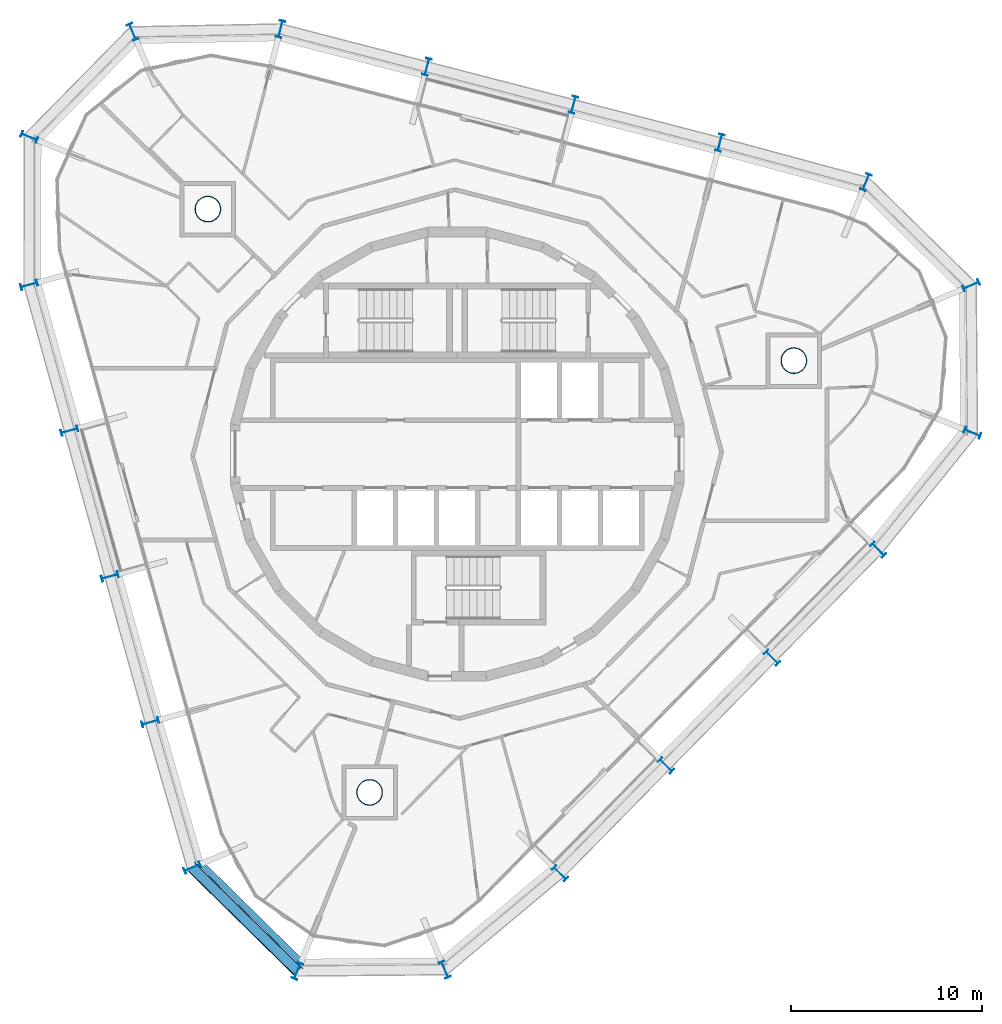
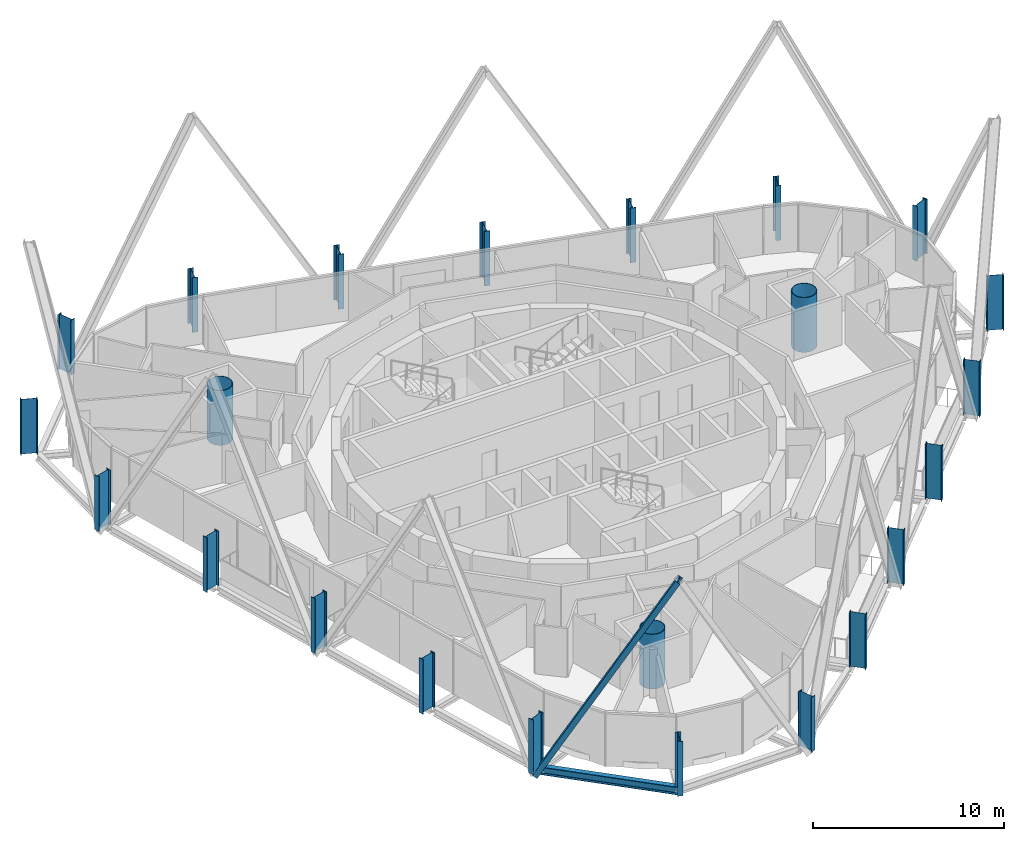
# One storey, part 1 of 15: 23 columns, 1 beam, 1 member.
"""IFC4 building model written with IfcOpenShell, lengths in metres."""

from ifc_helpers import new_model, si_unit, direction, frame, origin, origin_2d, place, context, subcontext, project, spatial, hollow_circle, i_section, extrude, material, material_profile, profile_set, type_object, element, save


model = new_model("IFC4")

# Units and contexts
model_context = context("Model", 3, precision=1e-05, world=origin(), true_north=direction((0.0, 1.0)))
body_context = subcontext(model_context, "Body", "Model", "MODEL_VIEW")
ifc_project = project(units=[si_unit("LENGTHUNIT", "METRE"), si_unit("AREAUNIT", "SQUARE_METRE"), si_unit("VOLUMEUNIT", "CUBIC_METRE"), si_unit("PLANEANGLEUNIT", "RADIAN"), si_unit("MASSUNIT", "GRAM", prefix="KILO")], contexts=[model_context])

# Site, building, storey
site_placement = place(None, origin())
site = spatial("IfcSite", under=ifc_project, at=site_placement, CompositionType="ELEMENT")
building_placement = place(site_placement, origin())
building = spatial("IfcBuilding", under=site, at=building_placement, Name="Spindle Arch Residences", CompositionType="ELEMENT")
storey_placement = place(building_placement, frame((0.0, 0.0, 312.199951171875)))
storey = spatial("IfcBuildingStorey", under=building, at=storey_placement, Name="L80", CompositionType="ELEMENT", Elevation=312.199951171875)

# Columns
ifc_material_1 = material(Name="Steel S460ML, intumescent coating R 240", Category="steel")
ifc_material_profile_1 = material_profile(ifc_material_1, i_section(OverallWidth=0.300048828125, OverallDepth=0.89990234375, WebThickness=0.0185546875, FlangeThickness=0.034912109375, FilletRadius=0.030029296875, at=origin_2d()), Name="HEB 900")
ifc_profile_set_1 = profile_set([ifc_material_profile_1], Name="Steel S460ML, intumescent coating R 240")
column_type_1 = type_object("IfcColumnType", Name="Exoskeleton post HEB 900", PredefinedType="COLUMN", material=ifc_profile_set_1)
for number, where, z_axis, x_axis, name in (
    (1, (16.521484375, -10.6728515625, -0.3798828125), (0.0, 0.0, 1.0), (-0.70090935439, -0.713250360623, 0.0), "Exoskeleton post 1"),
    (2, (22.083251953125, -5.01318359375, -0.3798828125), (0.0, 0.0, 1.0), (-0.70090935439, -0.713250360623, 0.0), "Exoskeleton post 2"),
    (3, (27.0263671875, 1.11279296875, -0.3798828125), (0.0, 0.0, 1.0), (-0.374802818249, -0.927104550433, 0.0), "Exoskeleton post 3"),
    (4, (26.959716796875, 8.84521484375, -0.3798828125), (0.0, 0.0, 1.0), (0.390770126794, -0.920488298679, 0.0), "Exoskeleton post 4"),
    (5, (21.443359375, 14.263916015625, -0.3798828125), (0.0, 0.0, 1.0), (0.927294785217, -0.374331913293, 0.0), "Exoskeleton post 5"),
    (6, (13.7861328125, 16.3330078125, -0.3798828125), (0.0, 0.0, 1.0), (0.968147663906, -0.250379913079, 0.0), "Exoskeleton post 6"),
    (7, (6.10400390625, 18.31982421875, -0.3798828125), (0.0, 0.0, 1.0), (0.968147663906, -0.250379913079, 0.0), "Exoskeleton post 7"),
    (8, (-1.57861328125, 20.306640625, -0.3798828125), (0.0, 0.0, 1.0), (0.968147663906, -0.250379913079, 0.0), "Exoskeleton post 8"),
    (9, (-9.2607421875, 22.29345703125, -0.3798828125), (0.0, 0.0, 1.0), (0.968147663906, -0.250379913079, 0.0), "Exoskeleton post 9"),
    (10, (-17.0185546875, 22.144775390625, -0.3798828125), (0.0, 0.0, 1.0), (0.920554476886, 0.39061420236, 0.0), "Exoskeleton post 10"),
    (11, (-22.4384765625, 16.62939453125, -0.3798828125), (0.0, 0.0, 1.0), (0.374489123858, 0.927231306693, 0.0), "Exoskeleton post 11"),
    (12, (-22.45166015625, 8.870361328125, -0.3798828125), (0.0, 0.0, 1.0), (-0.267238143562, 0.963630517691, 0.0), "Exoskeleton post 12"),
    (13, (-20.3310546875, 1.223876953125, -0.3798828125), (0.0, 0.0, 1.0), (-0.267238143562, 0.963630517691, 0.0), "Exoskeleton post 13"),
    (14, (-18.210693359375, -6.422607421875, -0.3798828125), (0.0, 0.0, 1.0), (-0.267238143562, 0.963630517691, 0.0), "Exoskeleton post 14"),
    (15, (-16.090087890625, -14.069091796875, -0.3798828125), (0.0, 0.0, 1.0), (-0.267238143562, 0.963630517691, 0.0), "Exoskeleton post 15"),
    (16, (-13.887451171875, -21.68896484375, -0.3798828125), (0.0, 0.0, 1.0), (-0.390457907184, 0.920620781167, 0.0), "Exoskeleton post 16"),
    (17, (-8.373291015625, -27.10986328125, -0.3798828125), (0.0, 0.0, 1.0), (-0.9271679418, 0.374645976487, 0.0), "Exoskeleton post 17"),
    (18, (-0.640869140625, -27.041748046875, -0.3798828125), (0.0, 0.0, 1.0), (-0.920422094083, -0.390926039967, 0.0), "Exoskeleton post 18"),
    (19, (5.397705078125, -21.9921875, -0.3798828125), (0.0, 0.0, 1.0), (-0.70090935439, -0.713250360623, 0.0), "Exoskeleton post 19"),
    (20, (10.959716796875, -16.33251953125, -0.3798828125), (0.0, 0.0, 1.0), (-0.70090935439, -0.713250360623, 0.0), "Exoskeleton post 20"),
):
    element("IfcColumn", number, at=place(storey_placement, frame(where, z_axis=z_axis, x_axis=x_axis)), inside=storey, type_object=column_type_1, Name=name, PredefinedType="COLUMN", context=body_context, shape_type="SweptSolid", body=[
        extrude(i_section(OverallWidth=0.300048828125, OverallDepth=0.89990234375, WebThickness=0.0185546875, FlangeThickness=0.034912109375, FilletRadius=0.030029296875, at=origin_2d()), origin(), (0.0, 0.0, 1.0), 3.5),
    ])
ifc_material_2 = material(Name="Concrete C50/60 filled steel tube S460ML, intumescent coating R 240", Category="concrete")
ifc_material_profile_2 = material_profile(ifc_material_2, hollow_circle(Radius=0.675048828125, WallThickness=0.030029296875, at=origin_2d()), Name="CFT D1350x30")
ifc_profile_set_2 = profile_set([ifc_material_profile_2], Name="Concrete C50/60 filled steel tube S460ML, intumescent coating R 240")
column_type_2 = type_object("IfcColumnType", Name="Mega-column CFT D1350x30", PredefinedType="COLUMN", material=ifc_profile_set_2)
for number, where, z_axis, x_axis, name in (
    (21, (17.66259765625, 4.898193359375, -0.3798828125), (0.0, 0.0, 1.0), (1.0, 0.0, 0.0), "Mega-column 1"),
    (22, (-13.0732421875, 12.84716796875, -0.3798828125), (0.0, 0.0, 1.0), (1.0, 0.0, 0.0), "Mega-column 2"),
    (23, (-4.58935546875, -17.745361328125, -0.3798828125), (0.0, 0.0, 1.0), (1.0, 0.0, 0.0), "Mega-column 3"),
):
    element("IfcColumn", number, at=place(storey_placement, frame(where, z_axis=z_axis, x_axis=x_axis)), inside=storey, type_object=column_type_2, Name=name, PredefinedType="COLUMN", context=body_context, shape_type="SweptSolid", body=[
        extrude(hollow_circle(Radius=0.675048828125, WallThickness=0.030029296875, at=origin_2d()), origin(), (0.0, 0.0, 1.0), 3.5),
    ])

# Member
ifc_material_3 = material(Name="Steel S460ML, intumescent coating R 240", Category="steel")
ifc_material_profile_3 = material_profile(ifc_material_3, i_section(OverallWidth=0.300048828125, OverallDepth=0.60009765625, WebThickness=0.015380859375, FlangeThickness=0.030029296875, FilletRadius=0.027099609375, at=origin_2d()), Name="HEB 600")
ifc_profile_set_3 = profile_set([ifc_material_profile_3], Name="Steel S460ML, intumescent coating R 240")
member_type = type_object("IfcMemberType", Name="Diagrid diagonal HEB 600", PredefinedType="BRACE", material=ifc_profile_set_3)
member_placement = place(storey_placement, frame((-13.887451171875, -21.68896484375, -0.6298828125), z_axis=(0.349105011793, -0.343200552636, 0.871974237814), x_axis=(-0.621814891959, 0.611298054594, 0.489551762931)))
element("IfcMember", 24, at=member_placement, inside=storey, type_object=member_type, Name="Diagrid diagonal 8.2.16", PredefinedType="BRACE", context=body_context, shape_type="SweptSolid", body=[
    extrude(i_section(OverallWidth=0.300048828125, OverallDepth=0.60009765625, WebThickness=0.015380859375, FlangeThickness=0.030029296875, FilletRadius=0.027099609375, at=origin_2d()), origin(), (0.0, 0.0, 1.0), 15.795166015625),
])

# Beam
ifc_material_4 = material(Name="Steel S460ML, intumescent coating R 120", Category="steel")
ifc_material_profile_4 = material_profile(ifc_material_4, i_section(OverallWidth=0.300048828125, OverallDepth=0.5, WebThickness=0.014404296875, FlangeThickness=0.028076171875, FilletRadius=0.027099609375, at=origin_2d()), Name="HEB 500")
ifc_profile_set_4 = profile_set([ifc_material_profile_4], Name="Steel S460ML, intumescent coating R 120")
beam_type = type_object("IfcBeamType", Name="Exoskeleton edge beam HEB 500", PredefinedType="BEAM", material=ifc_profile_set_4)
beam_placement = place(storey_placement, frame((-13.458251953125, -21.437744140625, -0.6298828125), z_axis=(0.713108879245, -0.701053297789, 0.0), x_axis=(0.701053297789, 0.713108879245, 0.0)))
element("IfcBeam", 25, at=beam_placement, inside=storey, type_object=beam_type, Name="Exoskeleton edge beam 16", PredefinedType="BEAM", context=body_context, shape_type="SweptSolid", body=[
    extrude(i_section(OverallWidth=0.300048828125, OverallDepth=0.5, WebThickness=0.014404296875, FlangeThickness=0.028076171875, FilletRadius=0.027099609375, at=origin_2d()), origin(), (0.0, 0.0, 1.0), 7.47265625),
])

save(model, "model.ifc")
